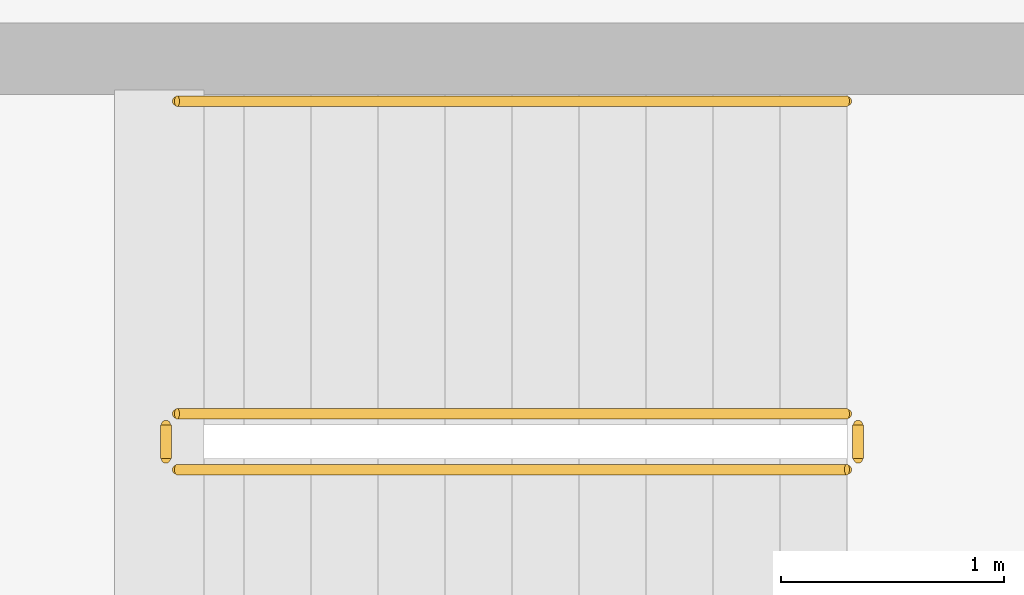
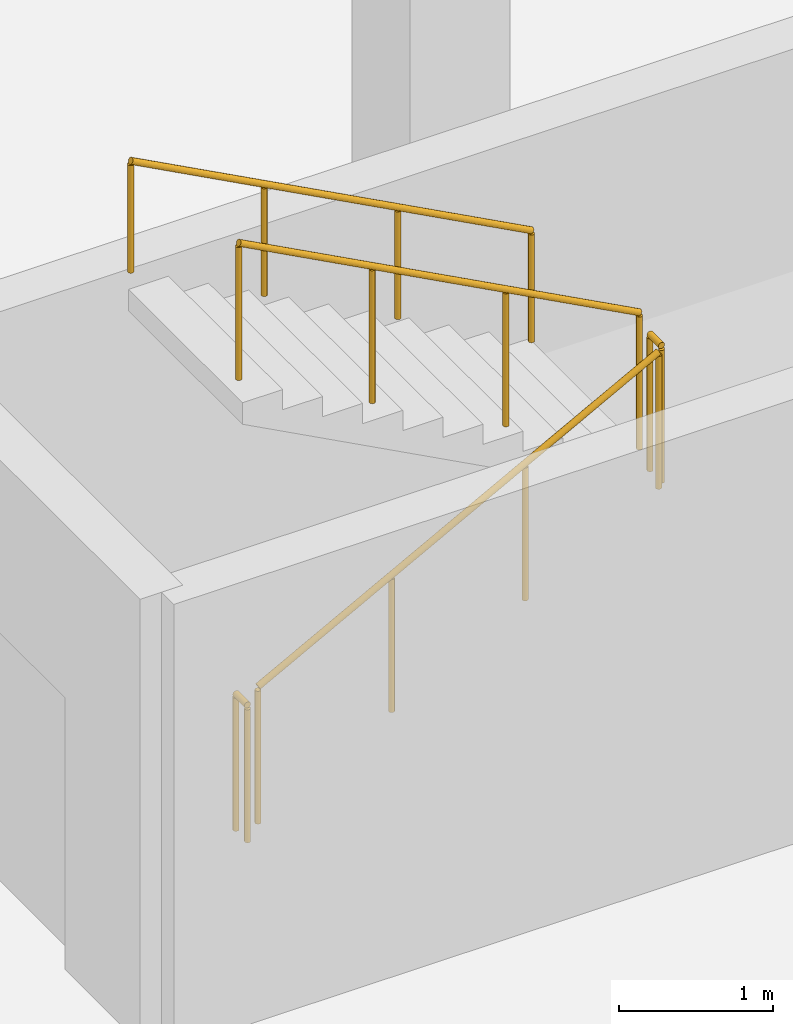
# One storey, part 94 of 95: 5 railings.
"""IFC4 building model written with IfcOpenShell, lengths in metres."""

from ifc_helpers import new_model, si_unit, direction, frame, origin, origin_2d, place, context, subcontext, project, spatial, circle, extrude, material, type_object, element, save


model = new_model("IFC4")

# Units and contexts
model_context = context("Model", 3, precision=1e-05, world=origin(), true_north=direction((0.0, 1.0)))
body_context = subcontext(model_context, "Body", "Model", "MODEL_VIEW")
ifc_project = project(units=[si_unit("LENGTHUNIT", "METRE"), si_unit("AREAUNIT", "SQUARE_METRE"), si_unit("VOLUMEUNIT", "CUBIC_METRE"), si_unit("PLANEANGLEUNIT", "RADIAN"), si_unit("MASSUNIT", "GRAM", prefix="KILO"), si_unit("THERMODYNAMICTEMPERATUREUNIT", "KELVIN"), si_unit("POWERUNIT", "WATT")], contexts=[model_context])

# Site, building, storey
site_placement = place(None, origin())
site = spatial("IfcSite", under=ifc_project, at=site_placement, CompositionType="ELEMENT")
building_placement = place(site_placement, origin())
building = spatial("IfcBuilding", under=site, at=building_placement, Name="Mavoryth Pier Ferry Terminal", CompositionType="ELEMENT")
storey_placement = place(building_placement, frame((0.0, 0.0, 9.60009765625)))
storey = spatial("IfcBuildingStorey", under=building, at=storey_placement, Name="L02", CompositionType="ELEMENT", Elevation=9.60009765625)

# Railings
ifc_material_1 = material(Name="Painted Galvanised Steel Balustrade", Category="steel")
railing_type_1 = type_object("IfcRailingType", Name="Guard-Stair-Steel1100", PredefinedType="GUARDRAIL", material=ifc_material_1)
railing_1_placement = place(storey_placement, frame((129.89990234375, 58.449951171875, 0.159912109375)))
element("IfcRailing", 1, at=railing_1_placement, inside=storey, type_object=railing_type_1, Name="L02 ST10 stair guard 1", PredefinedType="GUARDRAIL", context=body_context, shape_type="SweptSolid", body=[
    extrude(circle(Radius=0.02392578125, at=origin_2d()), frame((0.0, 0.0, 1.076171875), z_axis=(0.882341014787, 0.0, 0.470610596591), x_axis=(0.0, 1.0, 0.0)), (0.0, 0.0, 1.0), 3.400146484375),
    extrude(circle(Radius=0.02099609375, at=origin_2d()), origin(), (0.0, 0.0, 1.0), 1.052001953125),
    extrude(circle(Radius=0.02099609375, at=origin_2d()), frame((1.0, 0.0, 0.533447265625)), (0.0, 0.0, 1.0), 1.052001953125),
    extrude(circle(Radius=0.02099609375, at=origin_2d()), frame((2.0, 0.0, 1.066650390625)), (0.0, 0.0, 1.0), 1.052001953125),
    extrude(circle(Radius=0.02099609375, at=origin_2d()), frame((3.0, 0.0, 1.60009765625)), (0.0, 0.0, 1.0), 1.052001953125),
])
railing_2_placement = place(storey_placement, frame((132.949951171875, 58.5, 1.760009765625)))
element("IfcRailing", 2, at=railing_2_placement, inside=storey, type_object=railing_type_1, Name="L02 ST10 stair guard 2", PredefinedType="GUARDRAIL", context=body_context, shape_type="SweptSolid", body=[
    extrude(circle(Radius=0.02392578125, at=origin_2d()), frame((0.0, 0.0, 1.076171875), z_axis=(0.0, 1.0, 0.0), x_axis=(-1.0, 0.0, 0.0)), (0.0, 0.0, 1.0), 0.14990234375),
    extrude(circle(Radius=0.02099609375, at=origin_2d()), origin(), (0.0, 0.0, 1.0), 1.052001953125),
    extrude(circle(Radius=0.02099609375, at=origin_2d()), frame((0.0, 0.14990234375, 0.0)), (0.0, 0.0, 1.0), 1.052001953125),
])
railing_3_placement = place(storey_placement, frame((132.89990234375, 58.699951171875, 1.919921875)))
element("IfcRailing", 3, at=railing_3_placement, inside=storey, type_object=railing_type_1, Name="L02 ST10 stair guard 3", PredefinedType="GUARDRAIL", context=body_context, shape_type="SweptSolid", body=[
    extrude(circle(Radius=0.02392578125, at=origin_2d()), frame((0.0, 0.0, 1.076171875), z_axis=(-0.882341014787, 0.0, 0.470610596591), x_axis=(0.0, -1.0, 0.0)), (0.0, 0.0, 1.0), 3.400146484375),
    extrude(circle(Radius=0.02099609375, at=origin_2d()), origin(), (0.0, 0.0, 1.0), 1.052001953125),
    extrude(circle(Radius=0.02099609375, at=origin_2d()), frame((-1.0, 0.0, 0.533447265625)), (0.0, 0.0, 1.0), 1.052001953125),
    extrude(circle(Radius=0.02099609375, at=origin_2d()), frame((-2.0, 0.0, 1.066650390625)), (0.0, 0.0, 1.0), 1.052001953125),
    extrude(circle(Radius=0.02099609375, at=origin_2d()), frame((-3.0, 0.0, 1.60009765625)), (0.0, 0.0, 1.0), 1.052001953125),
])
railing_4_placement = place(storey_placement, frame((129.85009765625, 58.5, 0.0)))
element("IfcRailing", 4, at=railing_4_placement, inside=storey, type_object=railing_type_1, Name="L02 ST10 stair guard 4", PredefinedType="GUARDRAIL", context=body_context, shape_type="SweptSolid", body=[
    extrude(circle(Radius=0.02392578125, at=origin_2d()), frame((0.0, 0.0, 1.076171875), z_axis=(0.0, 1.0, 0.0), x_axis=(-1.0, 0.0, 0.0)), (0.0, 0.0, 1.0), 0.14990234375),
    extrude(circle(Radius=0.02099609375, at=origin_2d()), origin(), (0.0, 0.0, 1.0), 1.052001953125),
    extrude(circle(Radius=0.02099609375, at=origin_2d()), frame((0.0, 0.14990234375, 0.0)), (0.0, 0.0, 1.0), 1.052001953125),
])
ifc_material_2 = material(Name="Brushed Stainless Steel Tubular Handrail", Category="steel")
railing_type_2 = type_object("IfcRailingType", Name="Handrail-Stair-SS900", PredefinedType="HANDRAIL", material=ifc_material_2)
railing_5_placement = place(storey_placement, frame((132.89990234375, 60.10009765625, 1.919921875)))
element("IfcRailing", 5, at=railing_5_placement, inside=storey, type_object=railing_type_2, Name="L02 ST10 stair handrail 2", PredefinedType="HANDRAIL", context=body_context, shape_type="SweptSolid", body=[
    extrude(circle(Radius=0.02392578125, at=origin_2d()), frame((0.0, 0.0, 0.8759765625), z_axis=(-0.882341014787, 0.0, 0.470610596591), x_axis=(0.0, -1.0, 0.0)), (0.0, 0.0, 1.0), 3.400146484375),
    extrude(circle(Radius=0.02099609375, at=origin_2d()), origin(), (0.0, 0.0, 1.0), 0.851806640625),
    extrude(circle(Radius=0.02099609375, at=origin_2d()), frame((-1.0, 0.0, 0.533447265625)), (0.0, 0.0, 1.0), 0.851806640625),
    extrude(circle(Radius=0.02099609375, at=origin_2d()), frame((-2.0, 0.0, 1.066650390625)), (0.0, 0.0, 1.0), 0.851806640625),
    extrude(circle(Radius=0.02099609375, at=origin_2d()), frame((-3.0, 0.0, 1.60009765625)), (0.0, 0.0, 1.0), 0.851806640625),
])

save(model, "model.ifc")
